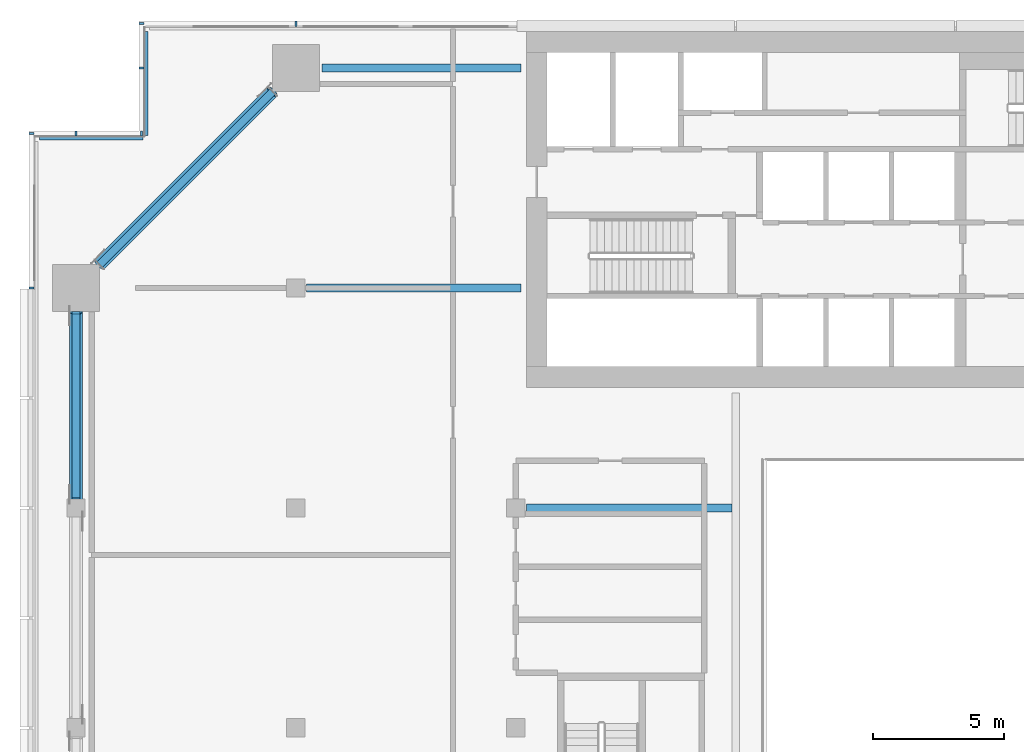
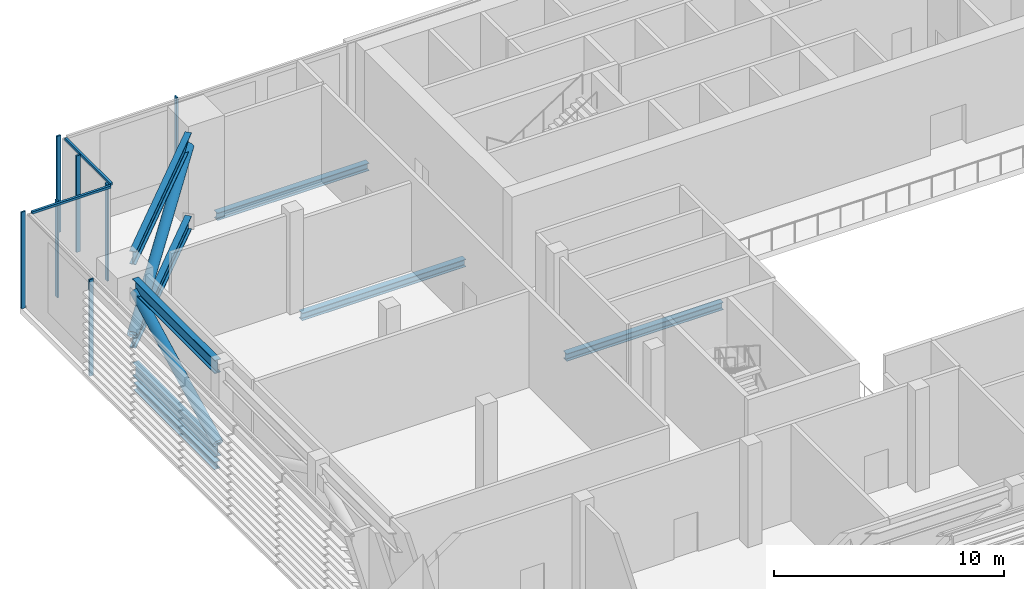
# One storey, part 6 of 29: 15 members, 4 beams, 4 elements without a shape of their own.
"""IFC4 building model written with IfcOpenShell, lengths in metres."""

from ifc_helpers import new_model, si_unit, direction, frame, origin, origin_2d, place, context, subcontext, project, spatial, rectangle, hollow_circle, i_section, extrude, material, material_profile, profile_set, type_object, element, aggregate, save


model = new_model("IFC4")

# Units and contexts
model_context = context("Model", 3, precision=1e-05, world=origin(), true_north=direction((0.0, 1.0)))
body_context = subcontext(model_context, "Body", "Model", "MODEL_VIEW")
ifc_project = project(units=[si_unit("LENGTHUNIT", "METRE"), si_unit("AREAUNIT", "SQUARE_METRE"), si_unit("VOLUMEUNIT", "CUBIC_METRE"), si_unit("PLANEANGLEUNIT", "RADIAN"), si_unit("MASSUNIT", "GRAM", prefix="KILO")], contexts=[model_context])

# Site, building, storey
site_placement = place(None, origin())
site = spatial("IfcSite", under=ifc_project, at=site_placement, CompositionType="ELEMENT")
building_placement = place(site_placement, origin())
building = spatial("IfcBuilding", under=site, at=building_placement, Name="Saffron Gate Tower", CompositionType="ELEMENT")
storey_placement = place(building_placement, frame((0.0, 0.0, 142.050048828125)))
storey = spatial("IfcBuildingStorey", under=building, at=storey_placement, Name="L34", CompositionType="ELEMENT", Elevation=142.050048828125)

# Beams
ifc_material_1 = material(Name="Structural steel S355", Category="steel")
ifc_material_profile_1 = material_profile(ifc_material_1, i_section(OverallWidth=0.300048828125, OverallDepth=0.39990234375, WebThickness=0.013427734375, FlangeThickness=0.02392578125, FilletRadius=0.027099609375, at=origin_2d()))
ifc_profile_set_1 = profile_set([ifc_material_profile_1], Name="Structural steel S355")
beam_type_1 = type_object("IfcBeamType", Name="B2 HEB 400", PredefinedType="BEAM", material=ifc_profile_set_1)
beam_1_placement = place(storey_placement, frame((67.0, 57.0, -0.5), z_axis=(1.0, 0.0, 0.0), x_axis=(0.0, 1.0, 0.0)))
element("IfcBeam", 1, at=beam_1_placement, inside=storey, type_object=beam_type_1, Name="B2 CORE TIE BEAM", PredefinedType="BEAM", context=body_context, shape_type="SweptSolid", body=[
    extrude(i_section(OverallWidth=0.300048828125, OverallDepth=0.39990234375, WebThickness=0.013427734375, FlangeThickness=0.02392578125, FilletRadius=0.027099609375, at=origin_2d()), origin(), (0.0, 0.0, 1.0), 7.85009765625),
])
beam_2_placement = place(storey_placement, frame((58.60009765625, 65.39990234375, -0.5), z_axis=(1.0, 0.0, 0.0), x_axis=(0.0, 1.0, 0.0)))
element("IfcBeam", 2, at=beam_2_placement, inside=storey, type_object=beam_type_1, Name="B2 CORE TIE BEAM", PredefinedType="BEAM", context=body_context, shape_type="SweptSolid", body=[
    extrude(i_section(OverallWidth=0.300048828125, OverallDepth=0.39990234375, WebThickness=0.013427734375, FlangeThickness=0.02392578125, FilletRadius=0.027099609375, at=origin_2d()), origin(), (0.0, 0.0, 1.0), 8.199951171875),
])
beam_3_placement = place(storey_placement, frame((59.199951171875, 73.800048828125, -0.5), z_axis=(1.0, 0.0, 0.0), x_axis=(0.0, 1.0, 0.0)))
element("IfcBeam", 3, at=beam_3_placement, inside=storey, type_object=beam_type_1, Name="B2 CORE TIE BEAM", PredefinedType="BEAM", context=body_context, shape_type="SweptSolid", body=[
    extrude(i_section(OverallWidth=0.300048828125, OverallDepth=0.39990234375, WebThickness=0.013427734375, FlangeThickness=0.02392578125, FilletRadius=0.027099609375, at=origin_2d()), origin(), (0.0, 0.0, 1.0), 7.60009765625),
])
ifc_material_profile_2 = material_profile(ifc_material_1, i_section(OverallWidth=0.300048828125, OverallDepth=0.39990234375, WebThickness=0.013427734375, FlangeThickness=0.02392578125, FilletRadius=0.027099609375, at=origin_2d()))
ifc_profile_set_2 = profile_set([ifc_material_profile_2], Name="Structural steel S355")
beam_type_2 = type_object("IfcBeamType", Name="B3 HEB 400", PredefinedType="SPANDREL", material=ifc_profile_set_2)
beam_4_placement = place(storey_placement, frame((49.800048828125, 57.39990234375, -0.5), z_axis=(0.0, 1.0, 0.0), x_axis=(-1.0, 0.0, 0.0)))
element("IfcBeam", 4, at=beam_4_placement, inside=storey, type_object=beam_type_2, Name="B3 SPANDREL BEAM", PredefinedType="SPANDREL", context=body_context, shape_type="SweptSolid", body=[
    extrude(i_section(OverallWidth=0.300048828125, OverallDepth=0.39990234375, WebThickness=0.013427734375, FlangeThickness=0.02392578125, FilletRadius=0.027099609375, at=origin_2d()), origin(), (0.0, 0.0, 1.0), 7.0),
])

# Members
ifc_material_profile_3 = material_profile(ifc_material_1, i_section(OverallWidth=0.300048828125, OverallDepth=0.699951171875, WebThickness=0.01708984375, FlangeThickness=0.031982421875, FilletRadius=0.027099609375, at=origin_2d()))
ifc_profile_set_3 = profile_set([ifc_material_profile_3], Name="Structural steel S355")
member_type_1 = type_object("IfcMemberType", Name="BT1 HEB 700", PredefinedType="CHORD", material=ifc_profile_set_3)
for number, where, z_axis, x_axis, name in (
    (5, (49.800048828125, 57.35009765625, 4.77001953125), (0.0, 1.0, 0.0), (-1.0, 0.0, 0.0), "BT1 BELT TRUSS TOP CHORD"),
    (6, (49.800048828125, 57.35009765625, 0.349853515625), (0.0, 1.0, 0.0), (-1.0, 0.0, 0.0), "BT1 BELT TRUSS BOTTOM CHORD"),
):
    element("IfcMember", number, at=place(storey_placement, frame(where, z_axis=z_axis, x_axis=x_axis)), inside=storey, type_object=member_type_1, Name=name, PredefinedType="CHORD", context=body_context, shape_type="SweptSolid", body=[
        extrude(i_section(OverallWidth=0.300048828125, OverallDepth=0.699951171875, WebThickness=0.01708984375, FlangeThickness=0.031982421875, FilletRadius=0.027099609375, at=origin_2d()), origin(), (0.0, 0.0, 1.0), 7.14990234375),
    ])
for number, where, z_axis, x_axis, name in (
    (7, (57.300048828125, 72.89990234375, 4.77001953125), (-0.707119859409, -0.707093702722, 0.0), (0.707093702722, -0.707119859409, 0.0), "BT1 BELT TRUSS TOP CHORD"),
    (8, (57.300048828125, 72.89990234375, 0.349853515625), (-0.707119859409, -0.707093702722, 0.0), (0.707093702722, -0.707119859409, 0.0), "BT1 BELT TRUSS BOTTOM CHORD"),
):
    element("IfcMember", number, at=place(storey_placement, frame(where, z_axis=z_axis, x_axis=x_axis)), inside=storey, type_object=member_type_1, Name=name, PredefinedType="CHORD", context=body_context, shape_type="SweptSolid", body=[
        extrude(i_section(OverallWidth=0.300048828125, OverallDepth=0.699951171875, WebThickness=0.01708984375, FlangeThickness=0.031982421875, FilletRadius=0.027099609375, at=origin_2d()), origin(), (0.0, 0.0, 1.0), 9.333740234375),
    ])
ifc_material_profile_4 = material_profile(ifc_material_1, hollow_circle(Radius=0.25390625, WallThickness=0.01611328125, at=origin_2d()))
ifc_profile_set_4 = profile_set([ifc_material_profile_4], Name="Structural steel S355")
member_type_2 = type_object("IfcMemberType", Name="BT5 CHS 508x16", PredefinedType="BRACE", material=ifc_profile_set_4)
member_1_placement = place(storey_placement, frame((49.800048828125, 57.35009765625, 0.699951171875), z_axis=(0.0, 0.887114116581, 0.461550153464), x_axis=(-1.0, 0.0, 0.0)))
element("IfcMember", 9, at=member_1_placement, inside=storey, type_object=member_type_2, Name="BT5 BELT TRUSS DIAGONAL", PredefinedType="BRACE", context=body_context, shape_type="SweptSolid", body=[
    extrude(hollow_circle(Radius=0.25390625, WallThickness=0.01611328125, at=origin_2d()), origin(), (0.0, 0.0, 1.0), 8.059814453125),
])
member_2_placement = place(storey_placement, frame((50.699951171875, 66.300048828125, 0.699951171875), z_axis=(0.65687235851, 0.656848060501, 0.370228753666), x_axis=(-0.707093702722, 0.707119859409, 0.0)))
element("IfcMember", 10, at=member_2_placement, inside=storey, type_object=member_type_2, Name="BT5 BELT TRUSS DIAGONAL", PredefinedType="BRACE", context=body_context, shape_type="SweptSolid", body=[
    extrude(hollow_circle(Radius=0.25390625, WallThickness=0.01611328125, at=origin_2d()), origin(), (0.0, 0.0, 1.0), 10.0478515625),
])

# Curtain wall, member
ifc_material_2 = material(Name="Aluminium, bronze anodised", Category="aluminium")
curtain_wall_type = type_object("IfcCurtainWallType", Name="CWS6 curtain wall tall storeys", PredefinedType="NOTDEFINED", material=ifc_material_2)
curtain_wall_1_placement = place(storey_placement, origin())
curtain_wall_1 = element("IfcCurtainWall", 11, at=curtain_wall_1_placement, inside=storey, type_object=curtain_wall_type, Name="CWS6 run 8", PredefinedType="NOTDEFINED")
ifc_material_profile_5 = material_profile(ifc_material_2, rectangle(XDim=0.1201171875, YDim=0.1201171875, at=origin_2d()))
ifc_profile_set_5 = profile_set([ifc_material_profile_5], Name="Aluminium, bronze anodised")
member_type_3 = type_object("IfcMemberType", Name="CWS6 head transom", PredefinedType="USERDEFINED", material=ifc_profile_set_5)
member_3_placement = place(storey_placement, frame((52.488037109375, 75.19189453125, 5.06005859375), z_axis=(0.0, -1.0, 0.0), x_axis=(1.0, 0.0, 0.0)))
member_3 = element("IfcMember", 12, at=member_3_placement, type_object=member_type_3, Name="CWS6 head transom", ObjectType="TRANSOM", PredefinedType="USERDEFINED", context=body_context, shape_type="SweptSolid", body=[
    extrude(rectangle(XDim=0.1201171875, YDim=0.1201171875, at=origin_2d()), origin(), (0.0, 0.0, 1.0), 3.9599609375),
])

curtain_wall_2_placement = place(storey_placement, origin())
curtain_wall_2 = element("IfcCurtainWall", 13, at=curtain_wall_2_placement, inside=storey, type_object=curtain_wall_type, Name="CWS6 run 9", PredefinedType="NOTDEFINED")
member_4_placement = place(storey_placement, frame((52.367919921875, 71.112060546875, 5.06005859375), z_axis=(-1.0, 0.0, 0.0), x_axis=(0.0, -1.0, 0.0)))
member_4 = element("IfcMember", 14, at=member_4_placement, type_object=member_type_3, Name="CWS6 head transom", ObjectType="TRANSOM", PredefinedType="USERDEFINED", context=body_context, shape_type="SweptSolid", body=[
    extrude(rectangle(XDim=0.1201171875, YDim=0.1201171875, at=origin_2d()), origin(), (0.0, 0.0, 1.0), 3.9599609375),
])

curtain_wall_3_placement = place(storey_placement, origin())
curtain_wall_3 = element("IfcCurtainWall", 15, at=curtain_wall_3_placement, inside=storey, type_object=curtain_wall_type, Name="CWS6 run 7", PredefinedType="NOTDEFINED")
ifc_material_profile_6 = material_profile(ifc_material_2, rectangle(XDim=0.199951171875, YDim=0.080078125, at=origin_2d()))
ifc_profile_set_6 = profile_set([ifc_material_profile_6], Name="Aluminium, bronze anodised")
member_type_4 = type_object("IfcMemberType", Name="CWS6 mullion 80x200", PredefinedType="MULLION", material=ifc_profile_set_6)
member_5_placement = place(storey_placement, frame((58.199951171875, 75.5, 0.0), z_axis=(0.0, 0.0, 1.0), x_axis=(0.0, -1.0, 0.0)))
member_5 = element("IfcMember", 16, at=member_5_placement, type_object=member_type_4, Name="CWS6 mullion 9", PredefinedType="MULLION", context=body_context, shape_type="SweptSolid", body=[
    extrude(rectangle(XDim=0.199951171875, YDim=0.080078125, at=origin_2d()), origin(), (0.0, 0.0, 1.0), 5.119873046875),
])
aggregate(curtain_wall_3, [member_5])

# Member
member_6_placement = place(storey_placement, frame((52.300048828125, 75.5, 0.0), z_axis=(0.0, 0.0, 1.0), x_axis=(1.0, 0.0, 0.0)))
member_6 = element("IfcMember", 17, at=member_6_placement, type_object=member_type_4, Name="CWS6 mullion 1", PredefinedType="MULLION", context=body_context, shape_type="SweptSolid", body=[
    extrude(rectangle(XDim=0.199951171875, YDim=0.080078125, at=origin_2d()), origin(), (0.0, 0.0, 1.0), 5.119873046875),
])

member_7_placement = place(storey_placement, frame((52.300048828125, 73.800048828125, 0.0), z_axis=(0.0, 0.0, 1.0), x_axis=(1.0, 0.0, 0.0)))
member_7 = element("IfcMember", 18, at=member_7_placement, type_object=member_type_4, Name="CWS6 mullion 2", PredefinedType="MULLION", context=body_context, shape_type="SweptSolid", body=[
    extrude(rectangle(XDim=0.199951171875, YDim=0.080078125, at=origin_2d()), origin(), (0.0, 0.0, 1.0), 5.119873046875),
])

aggregate(curtain_wall_1, [member_6, member_7, member_3])

member_8_placement = place(storey_placement, frame((52.300048828125, 71.300048828125, 0.0), z_axis=(0.0, 0.0, 1.0), x_axis=(0.0, -1.0, 0.0)))
member_8 = element("IfcMember", 19, at=member_8_placement, type_object=member_type_4, Name="CWS6 mullion 1", PredefinedType="MULLION", context=body_context, shape_type="SweptSolid", body=[
    extrude(rectangle(XDim=0.199951171875, YDim=0.080078125, at=origin_2d()), origin(), (0.0, 0.0, 1.0), 5.119873046875),
])

member_9_placement = place(storey_placement, frame((49.800048828125, 71.300048828125, 0.0), z_axis=(0.0, 0.0, 1.0), x_axis=(0.0, -1.0, 0.0)))
member_9 = element("IfcMember", 20, at=member_9_placement, type_object=member_type_4, Name="CWS6 mullion 2", PredefinedType="MULLION", context=body_context, shape_type="SweptSolid", body=[
    extrude(rectangle(XDim=0.199951171875, YDim=0.080078125, at=origin_2d()), origin(), (0.0, 0.0, 1.0), 5.119873046875),
])

aggregate(curtain_wall_2, [member_8, member_9, member_4])

# Curtain wall, members
curtain_wall_4_placement = place(storey_placement, origin())
curtain_wall_4 = element("IfcCurtainWall", 21, at=curtain_wall_4_placement, inside=storey, type_object=curtain_wall_type, Name="CWS6 run 10", PredefinedType="NOTDEFINED")
member_10_placement = place(storey_placement, frame((48.10009765625, 71.300048828125, 0.0), z_axis=(0.0, 0.0, 1.0), x_axis=(1.0, 0.0, 0.0)))
member_10 = element("IfcMember", 22, at=member_10_placement, type_object=member_type_4, Name="CWS6 mullion 1", PredefinedType="MULLION", context=body_context, shape_type="SweptSolid", body=[
    extrude(rectangle(XDim=0.199951171875, YDim=0.080078125, at=origin_2d()), origin(), (0.0, 0.0, 1.0), 5.119873046875),
])
member_11_placement = place(storey_placement, frame((48.10009765625, 65.39990234375, 0.0), z_axis=(0.0, 0.0, 1.0), x_axis=(1.0, 0.0, 0.0)))
member_11 = element("IfcMember", 23, at=member_11_placement, type_object=member_type_4, Name="CWS6 mullion 2", PredefinedType="MULLION", context=body_context, shape_type="SweptSolid", body=[
    extrude(rectangle(XDim=0.199951171875, YDim=0.080078125, at=origin_2d()), origin(), (0.0, 0.0, 1.0), 5.119873046875),
])
aggregate(curtain_wall_4, [member_10, member_11])

save(model, "model.ifc")
